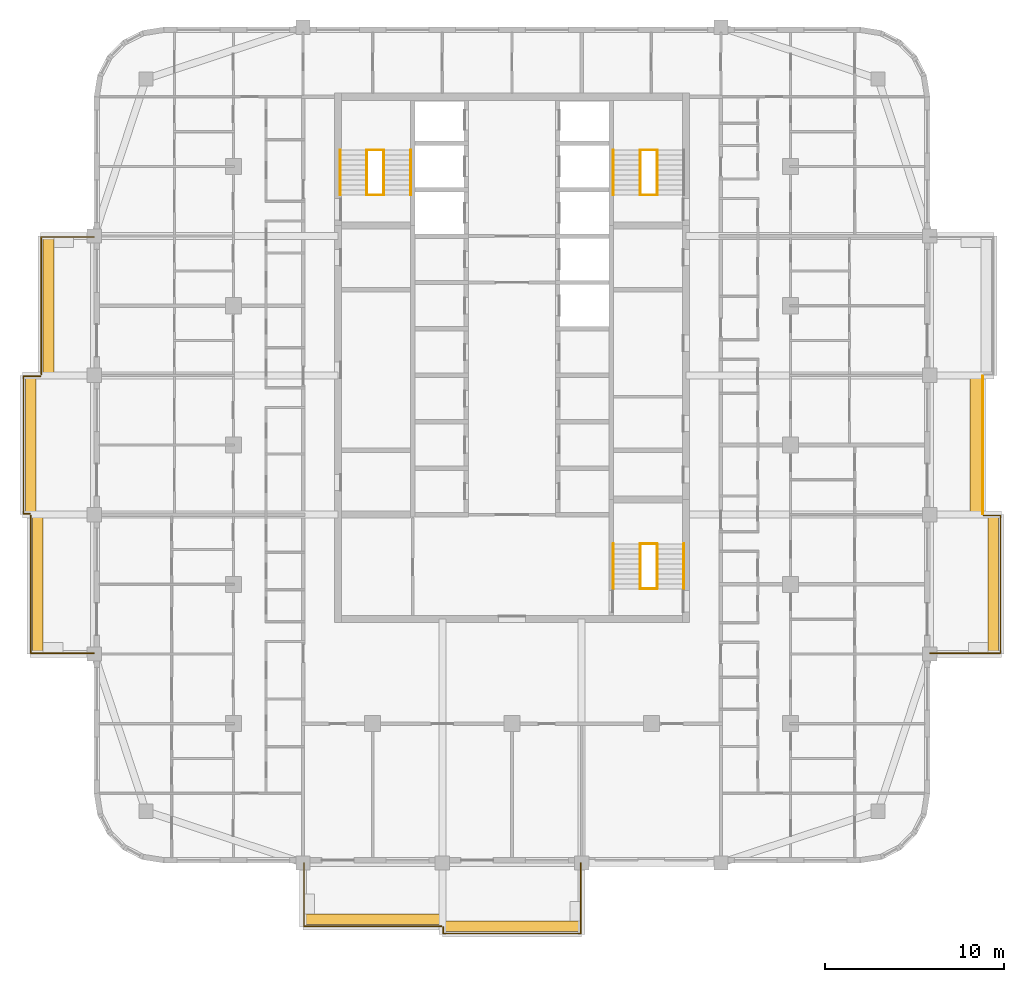
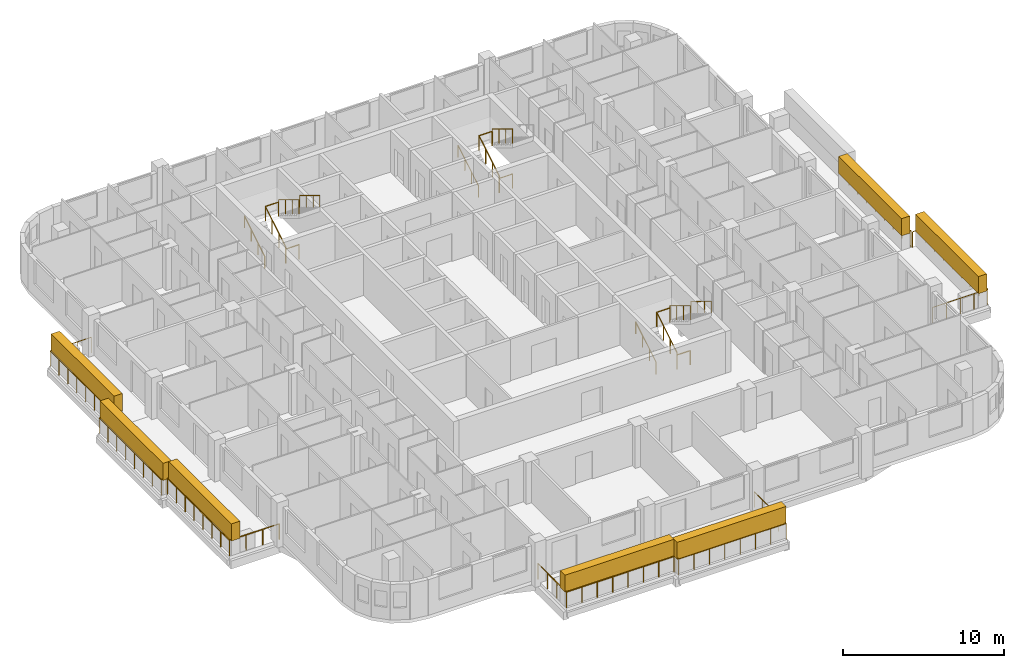
# One storey, part 15 of 16: 24 railings, 7 coverings, 3 elements without a shape of their own.
"""IFC4 building model written with IfcOpenShell, lengths in metres."""

from ifc_helpers import new_model, si_unit, direction, frame, origin, origin_2d, place, context, subcontext, project, spatial, rectangle, circle, extrude, material, layer, layer_set, type_object, element, aggregate, save


model = new_model("IFC4")

# Units and contexts
model_context = context("Model", 3, precision=1e-05, world=origin(), true_north=direction((0.0, 1.0)))
body_context = subcontext(model_context, "Body", "Model", "MODEL_VIEW")
ifc_project = project(units=[si_unit("LENGTHUNIT", "METRE"), si_unit("AREAUNIT", "SQUARE_METRE"), si_unit("VOLUMEUNIT", "CUBIC_METRE"), si_unit("PLANEANGLEUNIT", "RADIAN"), si_unit("MASSUNIT", "GRAM", prefix="KILO")], contexts=[model_context])

# Site, building, storey
site_placement = place(None, origin())
site = spatial("IfcSite", under=ifc_project, at=site_placement, CompositionType="ELEMENT")
building_placement = place(site_placement, origin())
building = spatial("IfcBuilding", under=site, at=building_placement, Name="Ludao Terraces", CompositionType="ELEMENT")
storey_placement = place(building_placement, frame((0.0, 0.0, 214.300048828125)))
storey = spatial("IfcBuildingStorey", under=building, at=storey_placement, Name="L58", CompositionType="ELEMENT", Elevation=214.300048828125)

# Railings
ifc_material_1 = material(Name="Stainless steel 304", Category="steel")
railing_type_1 = type_object("IfcRailingType", Name="ENV Balcony glass guard 1200", PredefinedType="GUARDRAIL", material=ifc_material_1)
railing_1_placement = place(storey_placement, frame((73.35009765625, 41.60009765625, 0.0)))
element("IfcRailing", 1, at=railing_1_placement, inside=storey, type_object=railing_type_1, Name="Balcony guard L58 S1", PredefinedType="GUARDRAIL", context=body_context, shape_type="SweptSolid", body=[
    extrude(circle(Radius=0.02392578125, at=origin_2d()), frame((0.0, 0.0, 1.17578125), z_axis=(0.0, -1.0, 0.0), x_axis=(1.0, 0.0, 0.0)), (0.0, 0.0, 1.0), 3.550048828125),
    extrude(circle(Radius=0.02392578125, at=origin_2d()), frame((0.0, -3.550048828125, 1.17578125), z_axis=(1.0, 0.0, 0.0), x_axis=(0.0, 1.0, 0.0)), (0.0, 0.0, 1.0), 7.699951171875),
    extrude(circle(Radius=0.02099609375, at=origin_2d()), origin(), (0.0, 0.0, 1.0), 1.15185546875),
    extrude(circle(Radius=0.02099609375, at=origin_2d()), frame((0.0, -1.183349609375, 0.0)), (0.0, 0.0, 1.0), 1.15185546875),
    extrude(circle(Radius=0.02099609375, at=origin_2d()), frame((0.0, -2.36669921875, 0.0)), (0.0, 0.0, 1.0), 1.15185546875),
    extrude(circle(Radius=0.02099609375, at=origin_2d()), frame((0.0, -3.550048828125, 0.0)), (0.0, 0.0, 1.0), 1.15185546875),
    extrude(circle(Radius=0.02099609375, at=origin_2d()), frame((1.10009765625, -3.550048828125, 0.0)), (0.0, 0.0, 1.0), 1.15185546875),
    extrude(circle(Radius=0.02099609375, at=origin_2d()), frame((2.199951171875, -3.550048828125, 0.0)), (0.0, 0.0, 1.0), 1.15185546875),
    extrude(circle(Radius=0.02099609375, at=origin_2d()), frame((3.300048828125, -3.550048828125, 0.0)), (0.0, 0.0, 1.0), 1.15185546875),
    extrude(circle(Radius=0.02099609375, at=origin_2d()), frame((4.39990234375, -3.550048828125, 0.0)), (0.0, 0.0, 1.0), 1.15185546875),
    extrude(circle(Radius=0.02099609375, at=origin_2d()), frame((5.5, -3.550048828125, 0.0)), (0.0, 0.0, 1.0), 1.15185546875),
    extrude(circle(Radius=0.02099609375, at=origin_2d()), frame((6.599853515625, -3.550048828125, 0.0)), (0.0, 0.0, 1.0), 1.15185546875),
    extrude(circle(Radius=0.02099609375, at=origin_2d()), frame((7.699951171875, -3.550048828125, 0.0)), (0.0, 0.0, 1.0), 1.15185546875),
])
railing_2_placement = place(storey_placement, frame((81.14990234375, 38.0, 0.0)))
element("IfcRailing", 2, at=railing_2_placement, inside=storey, type_object=railing_type_1, Name="Balcony guard L58 S2", PredefinedType="GUARDRAIL", context=body_context, shape_type="SweptSolid", body=[
    extrude(circle(Radius=0.02392578125, at=origin_2d()), frame((0.0, 0.0, 1.17578125), z_axis=(0.0, -1.0, 0.0), x_axis=(1.0, 0.0, 0.0)), (0.0, 0.0, 1.0), 0.35009765625),
    extrude(circle(Radius=0.02392578125, at=origin_2d()), frame((0.0, -0.35009765625, 1.17578125), z_axis=(1.0, 0.0, 0.0), x_axis=(0.0, 1.0, 0.0)), (0.0, 0.0, 1.0), 7.7001953125),
    extrude(circle(Radius=0.02392578125, at=origin_2d()), frame((7.7001953125, -0.35009765625, 1.17578125), z_axis=(0.0, 1.0, 0.0), x_axis=(-1.0, 0.0, 0.0)), (0.0, 0.0, 1.0), 3.9501953125),
    extrude(circle(Radius=0.02099609375, at=origin_2d()), origin(), (0.0, 0.0, 1.0), 1.15185546875),
    extrude(circle(Radius=0.02099609375, at=origin_2d()), frame((0.0, -0.35009765625, 0.0)), (0.0, 0.0, 1.0), 1.15185546875),
    extrude(circle(Radius=0.02099609375, at=origin_2d()), frame((1.10009765625, -0.35009765625, 0.0)), (0.0, 0.0, 1.0), 1.15185546875),
    extrude(circle(Radius=0.02099609375, at=origin_2d()), frame((2.199951171875, -0.35009765625, 0.0)), (0.0, 0.0, 1.0), 1.15185546875),
    extrude(circle(Radius=0.02099609375, at=origin_2d()), frame((3.300048828125, -0.35009765625, 0.0)), (0.0, 0.0, 1.0), 1.15185546875),
    extrude(circle(Radius=0.02099609375, at=origin_2d()), frame((4.400146484375, -0.35009765625, 0.0)), (0.0, 0.0, 1.0), 1.15185546875),
    extrude(circle(Radius=0.02099609375, at=origin_2d()), frame((5.500244140625, -0.35009765625, 0.0)), (0.0, 0.0, 1.0), 1.15185546875),
    extrude(circle(Radius=0.02099609375, at=origin_2d()), frame((6.60009765625, -0.35009765625, 0.0)), (0.0, 0.0, 1.0), 1.15185546875),
    extrude(circle(Radius=0.02099609375, at=origin_2d()), frame((7.7001953125, -0.35009765625, 0.0)), (0.0, 0.0, 1.0), 1.15185546875),
    extrude(circle(Radius=0.02099609375, at=origin_2d()), frame((7.7001953125, 0.637451171875, 0.0)), (0.0, 0.0, 1.0), 1.15185546875),
    extrude(circle(Radius=0.02099609375, at=origin_2d()), frame((7.7001953125, 1.625, 0.0)), (0.0, 0.0, 1.0), 1.15185546875),
    extrude(circle(Radius=0.02099609375, at=origin_2d()), frame((7.7001953125, 2.612548828125, 0.0)), (0.0, 0.0, 1.0), 1.15185546875),
    extrude(circle(Radius=0.02099609375, at=origin_2d()), frame((7.7001953125, 3.60009765625, 0.0)), (0.0, 0.0, 1.0), 1.15185546875),
])
railing_3_placement = place(storey_placement, frame((108.39990234375, 53.35009765625, 0.0)))
element("IfcRailing", 3, at=railing_3_placement, inside=storey, type_object=railing_type_1, Name="Balcony guard L58 E1", PredefinedType="GUARDRAIL", context=body_context, shape_type="SweptSolid", body=[
    extrude(circle(Radius=0.02392578125, at=origin_2d()), frame((0.0, 0.0, 1.17578125), z_axis=(1.0, 0.0, 0.0), x_axis=(0.0, 1.0, 0.0)), (0.0, 0.0, 1.0), 3.9501953125),
    extrude(circle(Radius=0.02392578125, at=origin_2d()), frame((3.9501953125, 0.0, 1.17578125), z_axis=(0.0, 1.0, 0.0), x_axis=(-1.0, 0.0, 0.0)), (0.0, 0.0, 1.0), 7.699951171875),
    extrude(circle(Radius=0.02392578125, at=origin_2d()), frame((3.9501953125, 7.699951171875, 1.17578125), z_axis=(-1.0, 0.0, 0.0), x_axis=(0.0, -1.0, 0.0)), (0.0, 0.0, 1.0), 0.9501953125),
    extrude(circle(Radius=0.02099609375, at=origin_2d()), origin(), (0.0, 0.0, 1.0), 1.15185546875),
    extrude(circle(Radius=0.02099609375, at=origin_2d()), frame((0.987548828125, 0.0, 0.0)), (0.0, 0.0, 1.0), 1.15185546875),
    extrude(circle(Radius=0.02099609375, at=origin_2d()), frame((1.97509765625, 0.0, 0.0)), (0.0, 0.0, 1.0), 1.15185546875),
    extrude(circle(Radius=0.02099609375, at=origin_2d()), frame((2.962646484375, 0.0, 0.0)), (0.0, 0.0, 1.0), 1.15185546875),
    extrude(circle(Radius=0.02099609375, at=origin_2d()), frame((3.9501953125, 0.0, 0.0)), (0.0, 0.0, 1.0), 1.15185546875),
    extrude(circle(Radius=0.02099609375, at=origin_2d()), frame((3.9501953125, 1.10009765625, 0.0)), (0.0, 0.0, 1.0), 1.15185546875),
    extrude(circle(Radius=0.02099609375, at=origin_2d()), frame((3.9501953125, 2.199951171875, 0.0)), (0.0, 0.0, 1.0), 1.15185546875),
    extrude(circle(Radius=0.02099609375, at=origin_2d()), frame((3.9501953125, 3.300048828125, 0.0)), (0.0, 0.0, 1.0), 1.15185546875),
    extrude(circle(Radius=0.02099609375, at=origin_2d()), frame((3.9501953125, 4.39990234375, 0.0)), (0.0, 0.0, 1.0), 1.15185546875),
    extrude(circle(Radius=0.02099609375, at=origin_2d()), frame((3.9501953125, 5.5, 0.0)), (0.0, 0.0, 1.0), 1.15185546875),
    extrude(circle(Radius=0.02099609375, at=origin_2d()), frame((3.9501953125, 6.599853515625, 0.0)), (0.0, 0.0, 1.0), 1.15185546875),
    extrude(circle(Radius=0.02099609375, at=origin_2d()), frame((3.9501953125, 7.699951171875, 0.0)), (0.0, 0.0, 1.0), 1.15185546875),
    extrude(circle(Radius=0.02099609375, at=origin_2d()), frame((3.0, 7.699951171875, 0.0)), (0.0, 0.0, 1.0), 1.15185546875),
])
railing_4_placement = place(storey_placement, frame((111.35009765625, 61.14990234375, 0.0)))
element("IfcRailing", 4, at=railing_4_placement, inside=storey, type_object=railing_type_1, Name="Balcony guard L58 E2", PredefinedType="GUARDRAIL", context=body_context, shape_type="SweptSolid", body=[
    extrude(circle(Radius=0.02392578125, at=origin_2d()), frame((0.0, 0.0, 1.17578125), z_axis=(0.0, 1.0, 0.0), x_axis=(-1.0, 0.0, 0.0)), (0.0, 0.0, 1.0), 7.7001953125),
    extrude(circle(Radius=0.02099609375, at=origin_2d()), origin(), (0.0, 0.0, 1.0), 1.15185546875),
    extrude(circle(Radius=0.02099609375, at=origin_2d()), frame((0.0, 1.10009765625, 0.0)), (0.0, 0.0, 1.0), 1.15185546875),
    extrude(circle(Radius=0.02099609375, at=origin_2d()), frame((0.0, 2.199951171875, 0.0)), (0.0, 0.0, 1.0), 1.15185546875),
    extrude(circle(Radius=0.02099609375, at=origin_2d()), frame((0.0, 3.300048828125, 0.0)), (0.0, 0.0, 1.0), 1.15185546875),
    extrude(circle(Radius=0.02099609375, at=origin_2d()), frame((0.0, 4.400146484375, 0.0)), (0.0, 0.0, 1.0), 1.15185546875),
    extrude(circle(Radius=0.02099609375, at=origin_2d()), frame((0.0, 5.500244140625, 0.0)), (0.0, 0.0, 1.0), 1.15185546875),
    extrude(circle(Radius=0.02099609375, at=origin_2d()), frame((0.0, 6.60009765625, 0.0)), (0.0, 0.0, 1.0), 1.15185546875),
    extrude(circle(Radius=0.02099609375, at=origin_2d()), frame((0.0, 7.7001953125, 0.0)), (0.0, 0.0, 1.0), 1.15185546875),
])
railing_5_placement = place(storey_placement, frame((61.60009765625, 53.35009765625, 0.0)))
element("IfcRailing", 5, at=railing_5_placement, inside=storey, type_object=railing_type_1, Name="Balcony guard L58 W1", PredefinedType="GUARDRAIL", context=body_context, shape_type="SweptSolid", body=[
    extrude(circle(Radius=0.02392578125, at=origin_2d()), frame((0.0, 0.0, 1.17578125), z_axis=(-1.0, 0.0, 0.0), x_axis=(0.0, -1.0, 0.0)), (0.0, 0.0, 1.0), 3.550048828125),
    extrude(circle(Radius=0.02392578125, at=origin_2d()), frame((-3.550048828125, 0.0, 1.17578125), z_axis=(0.0, 1.0, 0.0), x_axis=(-1.0, 0.0, 0.0)), (0.0, 0.0, 1.0), 7.699951171875),
    extrude(circle(Radius=0.02099609375, at=origin_2d()), origin(), (0.0, 0.0, 1.0), 1.15185546875),
    extrude(circle(Radius=0.02099609375, at=origin_2d()), frame((-1.183349609375, 0.0, 0.0)), (0.0, 0.0, 1.0), 1.15185546875),
    extrude(circle(Radius=0.02099609375, at=origin_2d()), frame((-2.36669921875, 0.0, 0.0)), (0.0, 0.0, 1.0), 1.15185546875),
    extrude(circle(Radius=0.02099609375, at=origin_2d()), frame((-3.550048828125, 0.0, 0.0)), (0.0, 0.0, 1.0), 1.15185546875),
    extrude(circle(Radius=0.02099609375, at=origin_2d()), frame((-3.550048828125, 1.10009765625, 0.0)), (0.0, 0.0, 1.0), 1.15185546875),
    extrude(circle(Radius=0.02099609375, at=origin_2d()), frame((-3.550048828125, 2.199951171875, 0.0)), (0.0, 0.0, 1.0), 1.15185546875),
    extrude(circle(Radius=0.02099609375, at=origin_2d()), frame((-3.550048828125, 3.300048828125, 0.0)), (0.0, 0.0, 1.0), 1.15185546875),
    extrude(circle(Radius=0.02099609375, at=origin_2d()), frame((-3.550048828125, 4.39990234375, 0.0)), (0.0, 0.0, 1.0), 1.15185546875),
    extrude(circle(Radius=0.02099609375, at=origin_2d()), frame((-3.550048828125, 5.5, 0.0)), (0.0, 0.0, 1.0), 1.15185546875),
    extrude(circle(Radius=0.02099609375, at=origin_2d()), frame((-3.550048828125, 6.599853515625, 0.0)), (0.0, 0.0, 1.0), 1.15185546875),
    extrude(circle(Radius=0.02099609375, at=origin_2d()), frame((-3.550048828125, 7.699951171875, 0.0)), (0.0, 0.0, 1.0), 1.15185546875),
])
railing_6_placement = place(storey_placement, frame((58.0, 61.14990234375, 0.0)))
element("IfcRailing", 6, at=railing_6_placement, inside=storey, type_object=railing_type_1, Name="Balcony guard L58 W2", PredefinedType="GUARDRAIL", context=body_context, shape_type="SweptSolid", body=[
    extrude(circle(Radius=0.02392578125, at=origin_2d()), frame((0.0, 0.0, 1.17578125), z_axis=(-1.0, 0.0, 0.0), x_axis=(0.0, -1.0, 0.0)), (0.0, 0.0, 1.0), 0.35009765625),
    extrude(circle(Radius=0.02392578125, at=origin_2d()), frame((-0.35009765625, 0.0, 1.17578125), z_axis=(0.0, 1.0, 0.0), x_axis=(-1.0, 0.0, 0.0)), (0.0, 0.0, 1.0), 7.7001953125),
    extrude(circle(Radius=0.02392578125, at=origin_2d()), frame((-0.35009765625, 7.7001953125, 1.17578125), z_axis=(1.0, 0.0, 0.0), x_axis=(0.0, 1.0, 0.0)), (0.0, 0.0, 1.0), 0.9501953125),
    extrude(circle(Radius=0.02099609375, at=origin_2d()), origin(), (0.0, 0.0, 1.0), 1.15185546875),
    extrude(circle(Radius=0.02099609375, at=origin_2d()), frame((-0.35009765625, 0.0, 0.0)), (0.0, 0.0, 1.0), 1.15185546875),
    extrude(circle(Radius=0.02099609375, at=origin_2d()), frame((-0.35009765625, 1.10009765625, 0.0)), (0.0, 0.0, 1.0), 1.15185546875),
    extrude(circle(Radius=0.02099609375, at=origin_2d()), frame((-0.35009765625, 2.199951171875, 0.0)), (0.0, 0.0, 1.0), 1.15185546875),
    extrude(circle(Radius=0.02099609375, at=origin_2d()), frame((-0.35009765625, 3.300048828125, 0.0)), (0.0, 0.0, 1.0), 1.15185546875),
    extrude(circle(Radius=0.02099609375, at=origin_2d()), frame((-0.35009765625, 4.400146484375, 0.0)), (0.0, 0.0, 1.0), 1.15185546875),
    extrude(circle(Radius=0.02099609375, at=origin_2d()), frame((-0.35009765625, 5.500244140625, 0.0)), (0.0, 0.0, 1.0), 1.15185546875),
    extrude(circle(Radius=0.02099609375, at=origin_2d()), frame((-0.35009765625, 6.60009765625, 0.0)), (0.0, 0.0, 1.0), 1.15185546875),
    extrude(circle(Radius=0.02099609375, at=origin_2d()), frame((-0.35009765625, 7.7001953125, 0.0)), (0.0, 0.0, 1.0), 1.15185546875),
    extrude(circle(Radius=0.02099609375, at=origin_2d()), frame((0.60009765625, 7.7001953125, 0.0)), (0.0, 0.0, 1.0), 1.15185546875),
])
railing_7_placement = place(storey_placement, frame((58.64990234375, 68.949951171875, 0.0)))
element("IfcRailing", 7, at=railing_7_placement, inside=storey, type_object=railing_type_1, Name="Balcony guard L58 W3", PredefinedType="GUARDRAIL", context=body_context, shape_type="SweptSolid", body=[
    extrude(circle(Radius=0.02392578125, at=origin_2d()), frame((0.0, 0.0, 1.17578125), z_axis=(0.0, 1.0, 0.0), x_axis=(-1.0, 0.0, 0.0)), (0.0, 0.0, 1.0), 7.699951171875),
    extrude(circle(Radius=0.02392578125, at=origin_2d()), frame((0.0, 7.699951171875, 1.17578125), z_axis=(1.0, 0.0, 0.0), x_axis=(0.0, 1.0, 0.0)), (0.0, 0.0, 1.0), 2.9501953125),
    extrude(circle(Radius=0.02099609375, at=origin_2d()), origin(), (0.0, 0.0, 1.0), 1.15185546875),
    extrude(circle(Radius=0.02099609375, at=origin_2d()), frame((0.0, 1.10009765625, 0.0)), (0.0, 0.0, 1.0), 1.15185546875),
    extrude(circle(Radius=0.02099609375, at=origin_2d()), frame((0.0, 2.199951171875, 0.0)), (0.0, 0.0, 1.0), 1.15185546875),
    extrude(circle(Radius=0.02099609375, at=origin_2d()), frame((0.0, 3.300048828125, 0.0)), (0.0, 0.0, 1.0), 1.15185546875),
    extrude(circle(Radius=0.02099609375, at=origin_2d()), frame((0.0, 4.39990234375, 0.0)), (0.0, 0.0, 1.0), 1.15185546875),
    extrude(circle(Radius=0.02099609375, at=origin_2d()), frame((0.0, 5.5, 0.0)), (0.0, 0.0, 1.0), 1.15185546875),
    extrude(circle(Radius=0.02099609375, at=origin_2d()), frame((0.0, 6.599853515625, 0.0)), (0.0, 0.0, 1.0), 1.15185546875),
    extrude(circle(Radius=0.02099609375, at=origin_2d()), frame((0.0, 7.699951171875, 0.0)), (0.0, 0.0, 1.0), 1.15185546875),
    extrude(circle(Radius=0.02099609375, at=origin_2d()), frame((0.9833984375, 7.699951171875, 0.0)), (0.0, 0.0, 1.0), 1.15185546875),
    extrude(circle(Radius=0.02099609375, at=origin_2d()), frame((1.966796875, 7.699951171875, 0.0)), (0.0, 0.0, 1.0), 1.15185546875),
    extrude(circle(Radius=0.02099609375, at=origin_2d()), frame((2.9501953125, 7.699951171875, 0.0)), (0.0, 0.0, 1.0), 1.15185546875),
])

# Coverings
ifc_material_2 = material(Name="Planting")
ifc_layer = layer(ifc_material_2, 0.60009765625)
ifc_layer_set = layer_set([ifc_layer], Name="ENV Planting hedge 600x1300")
covering_type = type_object("IfcCoveringType", Name="ENV Planting hedge 600x1300", PredefinedType="USERDEFINED", material=ifc_layer_set)
for number, where, z_axis, x_axis, name in (
    (8, (77.199951171875, 38.449951171875, 1.10009765625), (0.0, 0.0, 1.0), (1.0, 0.0, 0.0), "Planting hedge L58-S1"),
    (9, (85.0, 38.050048828125, 1.10009765625), (0.0, 0.0, 1.0), (1.0, 0.0, 0.0), "Planting hedge L58-S2"),
):
    element("IfcCovering", number, at=place(storey_placement, frame(where, z_axis=z_axis, x_axis=x_axis)), inside=storey, type_object=covering_type, Name=name, ObjectType="PLANTING", PredefinedType="USERDEFINED", context=body_context, shape_type="SweptSolid", body=[
        extrude(rectangle(XDim=7.800048828125, YDim=0.60009765625, at=origin_2d()), origin(), (0.0, 0.0, 1.0), 1.300048828125),
    ])
for number, where, z_axis, x_axis, name in (
    (10, (111.949951171875, 57.199951171875, 1.10009765625), (0.0, 0.0, 1.0), (1.0, 0.0, 0.0), "Planting hedge L58-E1"),
    (11, (110.949951171875, 65.0, 1.10009765625), (0.0, 0.0, 1.0), (1.0, 0.0, 0.0), "Planting hedge L58-E2"),
    (12, (58.449951171875, 57.199951171875, 1.10009765625), (0.0, 0.0, 1.0), (1.0, 0.0, 0.0), "Planting hedge L58-W1"),
    (13, (58.050048828125, 65.0, 1.10009765625), (0.0, 0.0, 1.0), (1.0, 0.0, 0.0), "Planting hedge L58-W2"),
    (14, (59.050048828125, 72.800048828125, 1.10009765625), (0.0, 0.0, 1.0), (1.0, 0.0, 0.0), "Planting hedge L58-W3"),
):
    element("IfcCovering", number, at=place(storey_placement, frame(where, z_axis=z_axis, x_axis=x_axis)), inside=storey, type_object=covering_type, Name=name, ObjectType="PLANTING", PredefinedType="USERDEFINED", context=body_context, shape_type="SweptSolid", body=[
        extrude(rectangle(XDim=0.60009765625, YDim=7.800048828125, at=origin_2d()), origin(), (0.0, 0.0, 1.0), 1.300048828125),
    ])

# Stair, railings
ifc_material_3 = material(Name="Concrete C40", Category="concrete")
stair_type = type_object("IfcStairType", Name="INT Stair", PredefinedType="HALF_TURN_STAIR", material=ifc_material_3)
stair_1_placement = place(storey_placement, origin())
stair_1 = element("IfcStair", 15, at=stair_1_placement, inside=storey, type_object=stair_type, Name="EXIT STAIR 1", PredefinedType="HALF_TURN_STAIR")
railing_type_2 = type_object("IfcRailingType", Name="INT Stair guard 1100", PredefinedType="GUARDRAIL", material=ifc_material_1)
railing_8_placement = place(storey_placement, frame((76.875, 79.0, 0.169921875)))
railing_8 = element("IfcRailing", 16, at=railing_8_placement, type_object=railing_type_2, Name="ST-L58-S1-R1G", PredefinedType="GUARDRAIL", context=body_context, shape_type="SweptSolid", body=[
    extrude(circle(Radius=0.02392578125, at=origin_2d()), frame((0.0, 0.0, 1.076171875), z_axis=(0.0, 0.85478489116, 0.518982456201), x_axis=(-1.0, 0.0, 0.0)), (0.0, 0.0, 1.0), 2.9482421875),
    extrude(circle(Radius=0.02099609375, at=origin_2d()), origin(), (0.0, 0.0, 1.0), 1.052001953125),
    extrude(circle(Radius=0.02099609375, at=origin_2d()), frame((0.0, 0.840087890625, 0.510009765625)), (0.0, 0.0, 1.0), 1.052001953125),
    extrude(circle(Radius=0.02099609375, at=origin_2d()), frame((0.0, 1.679931640625, 1.02001953125)), (0.0, 0.0, 1.0), 1.052001953125),
    extrude(circle(Radius=0.02099609375, at=origin_2d()), frame((0.0, 2.52001953125, 1.530029296875)), (0.0, 0.0, 1.0), 1.052001953125),
])
railing_9_placement = place(storey_placement, frame((77.824951171875, 81.52001953125, 1.869873046875)))
railing_9 = element("IfcRailing", 17, at=railing_9_placement, type_object=railing_type_2, Name="ST-L58-S1-R2G", PredefinedType="GUARDRAIL", context=body_context, shape_type="SweptSolid", body=[
    extrude(circle(Radius=0.02392578125, at=origin_2d()), frame((0.0, 0.0, 1.076171875), z_axis=(0.0, -0.85478489116, 0.518982456201), x_axis=(1.0, 0.0, 0.0)), (0.0, 0.0, 1.0), 2.9482421875),
    extrude(circle(Radius=0.02099609375, at=origin_2d()), origin(), (0.0, 0.0, 1.0), 1.052001953125),
    extrude(circle(Radius=0.02099609375, at=origin_2d()), frame((0.0, -0.840087890625, 0.510009765625)), (0.0, 0.0, 1.0), 1.052001953125),
    extrude(circle(Radius=0.02099609375, at=origin_2d()), frame((0.0, -1.679931640625, 1.02001953125)), (0.0, 0.0, 1.0), 1.052001953125),
    extrude(circle(Radius=0.02099609375, at=origin_2d()), frame((0.0, -2.52001953125, 1.530029296875)), (0.0, 0.0, 1.0), 1.052001953125),
])
railing_10_placement = place(storey_placement, frame((76.875, 81.52001953125, 1.699951171875)))
railing_10 = element("IfcRailing", 18, at=railing_10_placement, type_object=railing_type_2, Name="ST-L58-S1-E1G", PredefinedType="GUARDRAIL", context=body_context, shape_type="SweptSolid", body=[
    extrude(circle(Radius=0.02392578125, at=origin_2d()), frame((0.0, 0.0, 1.076171875), z_axis=(1.0, 0.0, 0.0), x_axis=(0.0, 1.0, 0.0)), (0.0, 0.0, 1.0), 0.949951171875),
    extrude(circle(Radius=0.02099609375, at=origin_2d()), origin(), (0.0, 0.0, 1.0), 1.052001953125),
    extrude(circle(Radius=0.02099609375, at=origin_2d()), frame((0.949951171875, 0.0, 0.0)), (0.0, 0.0, 1.0), 1.052001953125),
])
railing_11_placement = place(storey_placement, frame((76.875, 79.0, 0.0)))
railing_11 = element("IfcRailing", 19, at=railing_11_placement, type_object=railing_type_2, Name="ST-L58-S1-E2G", PredefinedType="GUARDRAIL", context=body_context, shape_type="SweptSolid", body=[
    extrude(circle(Radius=0.02392578125, at=origin_2d()), frame((0.0, 0.0, 1.076171875), z_axis=(1.0, 0.0, 0.0), x_axis=(0.0, 1.0, 0.0)), (0.0, 0.0, 1.0), 0.949951171875),
    extrude(circle(Radius=0.02099609375, at=origin_2d()), origin(), (0.0, 0.0, 1.0), 1.052001953125),
    extrude(circle(Radius=0.02099609375, at=origin_2d()), frame((0.949951171875, 0.0, 0.0)), (0.0, 0.0, 1.0), 1.052001953125),
])

stair_2_placement = place(storey_placement, origin())
stair_2 = element("IfcStair", 20, at=stair_2_placement, inside=storey, type_object=stair_type, Name="EXIT STAIR 2", PredefinedType="HALF_TURN_STAIR")
railing_12_placement = place(storey_placement, frame((92.175048828125, 79.0, 0.169921875)))
railing_12 = element("IfcRailing", 21, at=railing_12_placement, type_object=railing_type_2, Name="ST-L58-S2-R1G", PredefinedType="GUARDRAIL", context=body_context, shape_type="SweptSolid", body=[
    extrude(circle(Radius=0.02392578125, at=origin_2d()), frame((0.0, 0.0, 1.076171875), z_axis=(0.0, 0.85478489116, 0.518982456201), x_axis=(-1.0, 0.0, 0.0)), (0.0, 0.0, 1.0), 2.9482421875),
    extrude(circle(Radius=0.02099609375, at=origin_2d()), origin(), (0.0, 0.0, 1.0), 1.052001953125),
    extrude(circle(Radius=0.02099609375, at=origin_2d()), frame((0.0, 0.840087890625, 0.510009765625)), (0.0, 0.0, 1.0), 1.052001953125),
    extrude(circle(Radius=0.02099609375, at=origin_2d()), frame((0.0, 1.679931640625, 1.02001953125)), (0.0, 0.0, 1.0), 1.052001953125),
    extrude(circle(Radius=0.02099609375, at=origin_2d()), frame((0.0, 2.52001953125, 1.530029296875)), (0.0, 0.0, 1.0), 1.052001953125),
])
railing_13_placement = place(storey_placement, frame((93.125, 81.52001953125, 1.869873046875)))
railing_13 = element("IfcRailing", 22, at=railing_13_placement, type_object=railing_type_2, Name="ST-L58-S2-R2G", PredefinedType="GUARDRAIL", context=body_context, shape_type="SweptSolid", body=[
    extrude(circle(Radius=0.02392578125, at=origin_2d()), frame((0.0, 0.0, 1.076171875), z_axis=(0.0, -0.85478489116, 0.518982456201), x_axis=(1.0, 0.0, 0.0)), (0.0, 0.0, 1.0), 2.9482421875),
    extrude(circle(Radius=0.02099609375, at=origin_2d()), origin(), (0.0, 0.0, 1.0), 1.052001953125),
    extrude(circle(Radius=0.02099609375, at=origin_2d()), frame((0.0, -0.840087890625, 0.510009765625)), (0.0, 0.0, 1.0), 1.052001953125),
    extrude(circle(Radius=0.02099609375, at=origin_2d()), frame((0.0, -1.679931640625, 1.02001953125)), (0.0, 0.0, 1.0), 1.052001953125),
    extrude(circle(Radius=0.02099609375, at=origin_2d()), frame((0.0, -2.52001953125, 1.530029296875)), (0.0, 0.0, 1.0), 1.052001953125),
])
railing_14_placement = place(storey_placement, frame((92.175048828125, 81.52001953125, 1.699951171875)))
railing_14 = element("IfcRailing", 23, at=railing_14_placement, type_object=railing_type_2, Name="ST-L58-S2-E1G", PredefinedType="GUARDRAIL", context=body_context, shape_type="SweptSolid", body=[
    extrude(circle(Radius=0.02392578125, at=origin_2d()), frame((0.0, 0.0, 1.076171875), z_axis=(1.0, 0.0, 0.0), x_axis=(0.0, 1.0, 0.0)), (0.0, 0.0, 1.0), 0.949951171875),
    extrude(circle(Radius=0.02099609375, at=origin_2d()), origin(), (0.0, 0.0, 1.0), 1.052001953125),
    extrude(circle(Radius=0.02099609375, at=origin_2d()), frame((0.949951171875, 0.0, 0.0)), (0.0, 0.0, 1.0), 1.052001953125),
])
railing_15_placement = place(storey_placement, frame((92.175048828125, 79.0, 0.0)))
railing_15 = element("IfcRailing", 24, at=railing_15_placement, type_object=railing_type_2, Name="ST-L58-S2-E2G", PredefinedType="GUARDRAIL", context=body_context, shape_type="SweptSolid", body=[
    extrude(circle(Radius=0.02392578125, at=origin_2d()), frame((0.0, 0.0, 1.076171875), z_axis=(1.0, 0.0, 0.0), x_axis=(0.0, 1.0, 0.0)), (0.0, 0.0, 1.0), 0.949951171875),
    extrude(circle(Radius=0.02099609375, at=origin_2d()), origin(), (0.0, 0.0, 1.0), 1.052001953125),
    extrude(circle(Radius=0.02099609375, at=origin_2d()), frame((0.949951171875, 0.0, 0.0)), (0.0, 0.0, 1.0), 1.052001953125),
])

stair_3_placement = place(storey_placement, origin())
stair_3 = element("IfcStair", 25, at=stair_3_placement, inside=storey, type_object=stair_type, Name="EXIT STAIR 3", PredefinedType="HALF_TURN_STAIR")
railing_16_placement = place(storey_placement, frame((92.175048828125, 56.949951171875, 0.169921875)))
railing_16 = element("IfcRailing", 26, at=railing_16_placement, type_object=railing_type_2, Name="ST-L58-S3-R1G", PredefinedType="GUARDRAIL", context=body_context, shape_type="SweptSolid", body=[
    extrude(circle(Radius=0.02392578125, at=origin_2d()), frame((0.0, 0.0, 1.076171875), z_axis=(0.0, 0.85478489116, 0.518982456201), x_axis=(-1.0, 0.0, 0.0)), (0.0, 0.0, 1.0), 2.9482421875),
    extrude(circle(Radius=0.02099609375, at=origin_2d()), origin(), (0.0, 0.0, 1.0), 1.052001953125),
    extrude(circle(Radius=0.02099609375, at=origin_2d()), frame((0.0, 0.840087890625, 0.510009765625)), (0.0, 0.0, 1.0), 1.052001953125),
    extrude(circle(Radius=0.02099609375, at=origin_2d()), frame((0.0, 1.679931640625, 1.02001953125)), (0.0, 0.0, 1.0), 1.052001953125),
    extrude(circle(Radius=0.02099609375, at=origin_2d()), frame((0.0, 2.52001953125, 1.530029296875)), (0.0, 0.0, 1.0), 1.052001953125),
])
railing_17_placement = place(storey_placement, frame((93.125, 59.469970703125, 1.869873046875)))
railing_17 = element("IfcRailing", 27, at=railing_17_placement, type_object=railing_type_2, Name="ST-L58-S3-R2G", PredefinedType="GUARDRAIL", context=body_context, shape_type="SweptSolid", body=[
    extrude(circle(Radius=0.02392578125, at=origin_2d()), frame((0.0, 0.0, 1.076171875), z_axis=(0.0, -0.85478489116, 0.518982456201), x_axis=(1.0, 0.0, 0.0)), (0.0, 0.0, 1.0), 2.9482421875),
    extrude(circle(Radius=0.02099609375, at=origin_2d()), origin(), (0.0, 0.0, 1.0), 1.052001953125),
    extrude(circle(Radius=0.02099609375, at=origin_2d()), frame((0.0, -0.840087890625, 0.510009765625)), (0.0, 0.0, 1.0), 1.052001953125),
    extrude(circle(Radius=0.02099609375, at=origin_2d()), frame((0.0, -1.679931640625, 1.02001953125)), (0.0, 0.0, 1.0), 1.052001953125),
    extrude(circle(Radius=0.02099609375, at=origin_2d()), frame((0.0, -2.52001953125, 1.530029296875)), (0.0, 0.0, 1.0), 1.052001953125),
])
railing_18_placement = place(storey_placement, frame((92.175048828125, 59.469970703125, 1.699951171875)))
railing_18 = element("IfcRailing", 28, at=railing_18_placement, type_object=railing_type_2, Name="ST-L58-S3-E1G", PredefinedType="GUARDRAIL", context=body_context, shape_type="SweptSolid", body=[
    extrude(circle(Radius=0.02392578125, at=origin_2d()), frame((0.0, 0.0, 1.076171875), z_axis=(1.0, 0.0, 0.0), x_axis=(0.0, 1.0, 0.0)), (0.0, 0.0, 1.0), 0.949951171875),
    extrude(circle(Radius=0.02099609375, at=origin_2d()), origin(), (0.0, 0.0, 1.0), 1.052001953125),
    extrude(circle(Radius=0.02099609375, at=origin_2d()), frame((0.949951171875, 0.0, 0.0)), (0.0, 0.0, 1.0), 1.052001953125),
])
railing_19_placement = place(storey_placement, frame((92.175048828125, 56.949951171875, 0.0)))
railing_19 = element("IfcRailing", 29, at=railing_19_placement, type_object=railing_type_2, Name="ST-L58-S3-E2G", PredefinedType="GUARDRAIL", context=body_context, shape_type="SweptSolid", body=[
    extrude(circle(Radius=0.02392578125, at=origin_2d()), frame((0.0, 0.0, 1.076171875), z_axis=(1.0, 0.0, 0.0), x_axis=(0.0, 1.0, 0.0)), (0.0, 0.0, 1.0), 0.949951171875),
    extrude(circle(Radius=0.02099609375, at=origin_2d()), origin(), (0.0, 0.0, 1.0), 1.052001953125),
    extrude(circle(Radius=0.02099609375, at=origin_2d()), frame((0.949951171875, 0.0, 0.0)), (0.0, 0.0, 1.0), 1.052001953125),
])

# Railing
railing_type_3 = type_object("IfcRailingType", Name="INT Stair handrail 900", PredefinedType="HANDRAIL", material=ifc_material_1)
railing_20_placement = place(storey_placement, frame((75.375, 79.0, 0.169921875)))
railing_20 = element("IfcRailing", 30, at=railing_20_placement, type_object=railing_type_3, Name="ST-L58-S1-R1H", PredefinedType="HANDRAIL", context=body_context, shape_type="SweptSolid", body=[
    extrude(circle(Radius=0.02392578125, at=origin_2d()), frame((0.0, 0.0, 0.8759765625), z_axis=(0.0, 0.85478489116, 0.518982456201), x_axis=(-1.0, 0.0, 0.0)), (0.0, 0.0, 1.0), 2.9482421875),
    extrude(circle(Radius=0.02099609375, at=origin_2d()), origin(), (0.0, 0.0, 1.0), 0.851806640625),
    extrude(circle(Radius=0.02099609375, at=origin_2d()), frame((0.0, 0.840087890625, 0.510009765625)), (0.0, 0.0, 1.0), 0.851806640625),
    extrude(circle(Radius=0.02099609375, at=origin_2d()), frame((0.0, 1.679931640625, 1.02001953125)), (0.0, 0.0, 1.0), 0.851806640625),
    extrude(circle(Radius=0.02099609375, at=origin_2d()), frame((0.0, 2.52001953125, 1.530029296875)), (0.0, 0.0, 1.0), 0.851806640625),
])

railing_21_placement = place(storey_placement, frame((79.324951171875, 81.52001953125, 1.869873046875)))
railing_21 = element("IfcRailing", 31, at=railing_21_placement, type_object=railing_type_3, Name="ST-L58-S1-R2H", PredefinedType="HANDRAIL", context=body_context, shape_type="SweptSolid", body=[
    extrude(circle(Radius=0.02392578125, at=origin_2d()), frame((0.0, 0.0, 0.8759765625), z_axis=(0.0, -0.85478489116, 0.518982456201), x_axis=(1.0, 0.0, 0.0)), (0.0, 0.0, 1.0), 2.9482421875),
    extrude(circle(Radius=0.02099609375, at=origin_2d()), origin(), (0.0, 0.0, 1.0), 0.851806640625),
    extrude(circle(Radius=0.02099609375, at=origin_2d()), frame((0.0, -0.840087890625, 0.510009765625)), (0.0, 0.0, 1.0), 0.851806640625),
    extrude(circle(Radius=0.02099609375, at=origin_2d()), frame((0.0, -1.679931640625, 1.02001953125)), (0.0, 0.0, 1.0), 0.851806640625),
    extrude(circle(Radius=0.02099609375, at=origin_2d()), frame((0.0, -2.52001953125, 1.530029296875)), (0.0, 0.0, 1.0), 0.851806640625),
])

aggregate(stair_1, [railing_8, railing_20, railing_9, railing_21, railing_10, railing_11])

railing_22_placement = place(storey_placement, frame((90.675048828125, 79.0, 0.169921875)))
railing_22 = element("IfcRailing", 32, at=railing_22_placement, type_object=railing_type_3, Name="ST-L58-S2-R1H", PredefinedType="HANDRAIL", context=body_context, shape_type="SweptSolid", body=[
    extrude(circle(Radius=0.02392578125, at=origin_2d()), frame((0.0, 0.0, 0.8759765625), z_axis=(0.0, 0.85478489116, 0.518982456201), x_axis=(-1.0, 0.0, 0.0)), (0.0, 0.0, 1.0), 2.9482421875),
    extrude(circle(Radius=0.02099609375, at=origin_2d()), origin(), (0.0, 0.0, 1.0), 0.851806640625),
    extrude(circle(Radius=0.02099609375, at=origin_2d()), frame((0.0, 0.840087890625, 0.510009765625)), (0.0, 0.0, 1.0), 0.851806640625),
    extrude(circle(Radius=0.02099609375, at=origin_2d()), frame((0.0, 1.679931640625, 1.02001953125)), (0.0, 0.0, 1.0), 0.851806640625),
    extrude(circle(Radius=0.02099609375, at=origin_2d()), frame((0.0, 2.52001953125, 1.530029296875)), (0.0, 0.0, 1.0), 0.851806640625),
])

aggregate(stair_2, [railing_12, railing_22, railing_13, railing_14, railing_15])

railing_23_placement = place(storey_placement, frame((90.675048828125, 56.949951171875, 0.169921875)))
railing_23 = element("IfcRailing", 33, at=railing_23_placement, type_object=railing_type_3, Name="ST-L58-S3-R1H", PredefinedType="HANDRAIL", context=body_context, shape_type="SweptSolid", body=[
    extrude(circle(Radius=0.02392578125, at=origin_2d()), frame((0.0, 0.0, 0.8759765625), z_axis=(0.0, 0.85478489116, 0.518982456201), x_axis=(-1.0, 0.0, 0.0)), (0.0, 0.0, 1.0), 2.9482421875),
    extrude(circle(Radius=0.02099609375, at=origin_2d()), origin(), (0.0, 0.0, 1.0), 0.851806640625),
    extrude(circle(Radius=0.02099609375, at=origin_2d()), frame((0.0, 0.840087890625, 0.510009765625)), (0.0, 0.0, 1.0), 0.851806640625),
    extrude(circle(Radius=0.02099609375, at=origin_2d()), frame((0.0, 1.679931640625, 1.02001953125)), (0.0, 0.0, 1.0), 0.851806640625),
    extrude(circle(Radius=0.02099609375, at=origin_2d()), frame((0.0, 2.52001953125, 1.530029296875)), (0.0, 0.0, 1.0), 0.851806640625),
])

railing_24_placement = place(storey_placement, frame((94.625, 59.469970703125, 1.869873046875)))
railing_24 = element("IfcRailing", 34, at=railing_24_placement, type_object=railing_type_3, Name="ST-L58-S3-R2H", PredefinedType="HANDRAIL", context=body_context, shape_type="SweptSolid", body=[
    extrude(circle(Radius=0.02392578125, at=origin_2d()), frame((0.0, 0.0, 0.8759765625), z_axis=(0.0, -0.85478489116, 0.518982456201), x_axis=(1.0, 0.0, 0.0)), (0.0, 0.0, 1.0), 2.9482421875),
    extrude(circle(Radius=0.02099609375, at=origin_2d()), origin(), (0.0, 0.0, 1.0), 0.851806640625),
    extrude(circle(Radius=0.02099609375, at=origin_2d()), frame((0.0, -0.840087890625, 0.510009765625)), (0.0, 0.0, 1.0), 0.851806640625),
    extrude(circle(Radius=0.02099609375, at=origin_2d()), frame((0.0, -1.679931640625, 1.02001953125)), (0.0, 0.0, 1.0), 0.851806640625),
    extrude(circle(Radius=0.02099609375, at=origin_2d()), frame((0.0, -2.52001953125, 1.530029296875)), (0.0, 0.0, 1.0), 0.851806640625),
])

aggregate(stair_3, [railing_16, railing_23, railing_17, railing_24, railing_18, railing_19])

save(model, "model.ifc")
